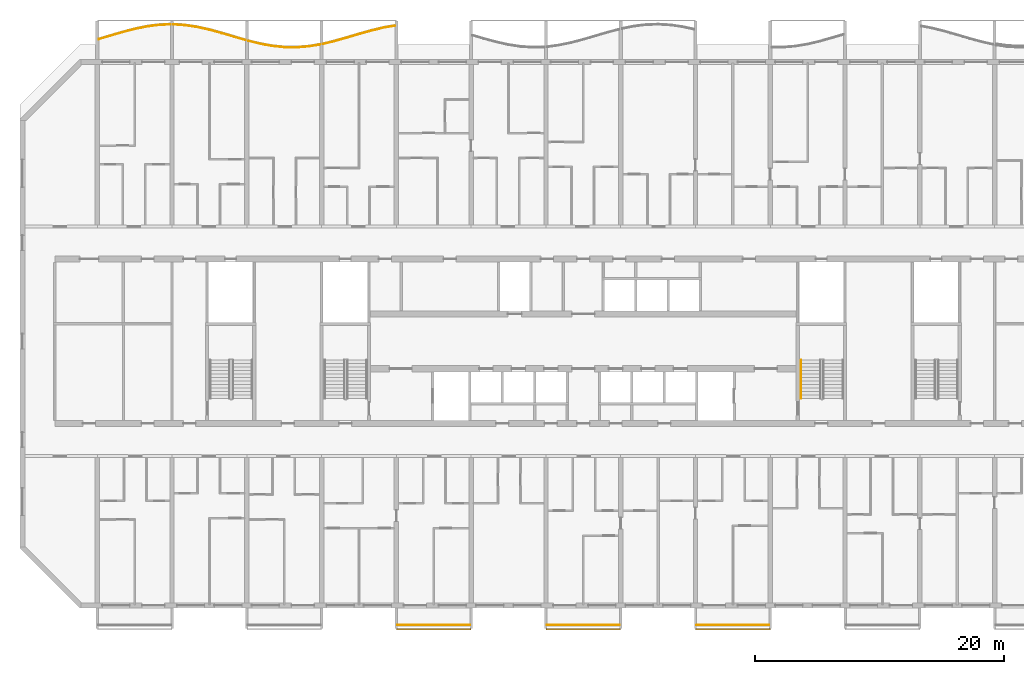
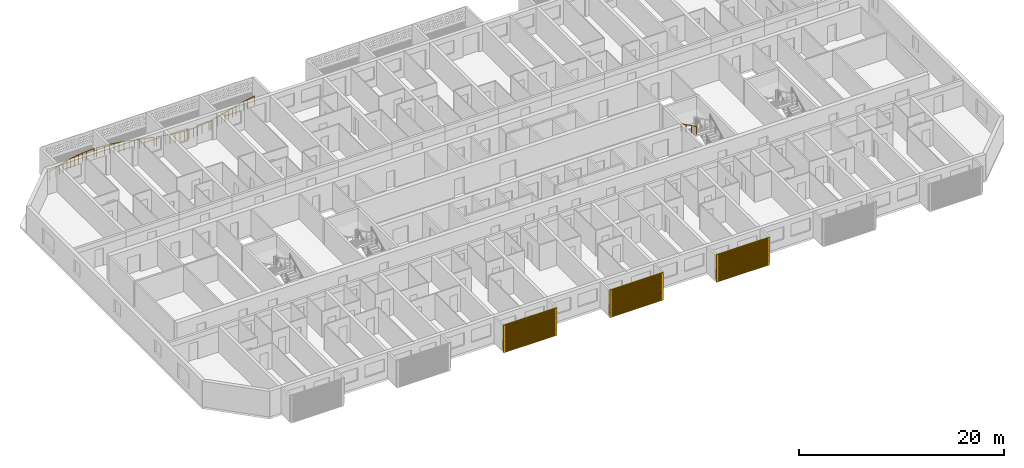
# One storey, part 19 of 28: 8 railings, 3 shading devices.
"""IFC4 building model written with IfcOpenShell, lengths in metres."""

from ifc_helpers import new_model, si_unit, direction, frame, origin, origin_2d, place, context, subcontext, project, spatial, polyline, circle, outline, extrude, source, transform, mapped, material, material_profile, profile_set, type_object, element, save


model = new_model("IFC4")

# Units and contexts
model_context = context("Model", 3, precision=1e-05, world=origin(), true_north=direction((0.0, 1.0)))
body_context = subcontext(model_context, "Body", "Model", "MODEL_VIEW")
ifc_project = project(units=[si_unit("LENGTHUNIT", "METRE"), si_unit("AREAUNIT", "SQUARE_METRE"), si_unit("VOLUMEUNIT", "CUBIC_METRE"), si_unit("PLANEANGLEUNIT", "RADIAN"), si_unit("MASSUNIT", "GRAM", prefix="KILO")], contexts=[model_context])

# Site, building, storey
site_placement = place(None, origin())
site = spatial("IfcSite", under=ifc_project, at=site_placement, CompositionType="ELEMENT")
building_placement = place(site_placement, origin())
building = spatial("IfcBuilding", under=site, at=building_placement, Name="Poui Terraces", CompositionType="ELEMENT")
storey_placement = place(building_placement, frame((0.0, 0.0, 72.89990234375)))
storey = spatial("IfcBuildingStorey", under=building, at=storey_placement, Name="L19", CompositionType="ELEMENT", Elevation=72.89990234375)

# Railings
ifc_material_1 = material(Name="Painted steel fretwork", Category="steel")
railing_type_1 = type_object("IfcRailingType", Name="BALCONY GUARD 1100", PredefinedType="GUARDRAIL", material=ifc_material_1)
railing_1_placement = place(storey_placement, frame((12.125, 45.4375, 0.0)))
element("IfcRailing", 1, at=railing_1_placement, inside=storey, type_object=railing_type_1, Name="BALCONY GUARD", PredefinedType="GUARDRAIL", context=body_context, shape_type="SweptSolid", body=[
    extrude(circle(Radius=0.02392578125, at=origin_2d()), frame((0.0, 0.0, 1.076171875), z_axis=(0.959301544877, 0.282383685783, 0.0), x_axis=(-0.282383685783, 0.959301544877, 0.0)), (0.0, 0.0, 1.0), 0.912109375),
    extrude(circle(Radius=0.02392578125, at=origin_2d()), frame((0.875, 0.257568359375, 1.076171875), z_axis=(0.959726621702, 0.280935600444, 0.0), x_axis=(-0.280935600444, 0.959726621702, 0.0)), (0.0, 0.0, 1.0), 1.0419921875),
    extrude(circle(Radius=0.02392578125, at=origin_2d()), frame((1.875, 0.55029296875, 1.076171875), z_axis=(0.967126511287, 0.25429571598, 0.0), x_axis=(-0.25429571598, 0.967126511287, 0.0)), (0.0, 0.0, 1.0), 1.033935546875),
    extrude(circle(Radius=0.02392578125, at=origin_2d()), frame((2.875, 0.813232421875, 1.076171875), z_axis=(0.979518122884, 0.201356020378, 0.0), x_axis=(-0.201356020378, 0.979518122884, 0.0)), (0.0, 0.0, 1.0), 1.02099609375),
    extrude(circle(Radius=0.02392578125, at=origin_2d()), frame((3.875, 1.018798828125, 1.076171875), z_axis=(0.992007284566, 0.126180614077, 0.0), x_axis=(-0.126180614077, 0.992007284566, 0.0)), (0.0, 0.0, 1.0), 1.008056640625),
    extrude(circle(Radius=0.02392578125, at=origin_2d()), frame((4.875, 1.14599609375, 1.076171875), z_axis=(0.999125325571, 0.041816071104, 0.0), x_axis=(-0.041816071104, 0.999125325571, 0.0)), (0.0, 0.0, 1.0), 0.875732421875),
    extrude(circle(Radius=0.02099609375, at=origin_2d()), origin(), (0.0, 0.0, 1.0), 1.052001953125),
    extrude(circle(Radius=0.02099609375, at=origin_2d()), frame((0.875, 0.257568359375, 0.0)), (0.0, 0.0, 1.0), 1.052001953125),
    extrude(circle(Radius=0.02099609375, at=origin_2d()), frame((1.375, 0.40380859375, 0.0)), (0.0, 0.0, 1.0), 1.052001953125),
    extrude(circle(Radius=0.02099609375, at=origin_2d()), frame((1.875, 0.55029296875, 0.0)), (0.0, 0.0, 1.0), 1.052001953125),
    extrude(circle(Radius=0.02099609375, at=origin_2d()), frame((2.375, 0.681640625, 0.0)), (0.0, 0.0, 1.0), 1.052001953125),
    extrude(circle(Radius=0.02099609375, at=origin_2d()), frame((2.875, 0.813232421875, 0.0)), (0.0, 0.0, 1.0), 1.052001953125),
    extrude(circle(Radius=0.02099609375, at=origin_2d()), frame((3.375, 0.916015625, 0.0)), (0.0, 0.0, 1.0), 1.052001953125),
    extrude(circle(Radius=0.02099609375, at=origin_2d()), frame((3.875, 1.018798828125, 0.0)), (0.0, 0.0, 1.0), 1.052001953125),
    extrude(circle(Radius=0.02099609375, at=origin_2d()), frame((4.375, 1.08251953125, 0.0)), (0.0, 0.0, 1.0), 1.052001953125),
    extrude(circle(Radius=0.02099609375, at=origin_2d()), frame((4.875, 1.14599609375, 0.0)), (0.0, 0.0, 1.0), 1.052001953125),
    extrude(circle(Radius=0.02099609375, at=origin_2d()), frame((5.75, 1.1826171875, 0.0)), (0.0, 0.0, 1.0), 1.052001953125),
])
railing_2_placement = place(storey_placement, frame((18.125, 46.616943359375, 0.0)))
element("IfcRailing", 2, at=railing_2_placement, inside=storey, type_object=railing_type_1, Name="BALCONY GUARD", PredefinedType="GUARDRAIL", context=body_context, shape_type="SweptSolid", body=[
    extrude(circle(Radius=0.02392578125, at=origin_2d()), frame((0.0, 0.0, 1.076171875), z_axis=(0.997875386497, -0.065151462176, 0.0), x_axis=(0.065151462176, 0.997875386497, 0.0)), (0.0, 0.0, 1.0), 0.876953125),
    extrude(circle(Radius=0.02392578125, at=origin_2d()), frame((0.875, -0.05712890625, 1.076171875), z_axis=(0.989196978079, -0.146592423265, 0.0), x_axis=(0.146592423265, 0.989196978079, 0.0)), (0.0, 0.0, 1.0), 1.010986328125),
    extrude(circle(Radius=0.02392578125, at=origin_2d()), frame((1.875, -0.205322265625, 1.076171875), z_axis=(0.976198274393, -0.216879987719, 0.0), x_axis=(0.216879987719, 0.976198274393, 0.0)), (0.0, 0.0, 1.0), 1.0244140625),
    extrude(circle(Radius=0.02392578125, at=origin_2d()), frame((2.875, -0.427490234375, 1.076171875), z_axis=(0.964709448785, -0.263316690367, 0.0), x_axis=(0.263316690367, 0.964709448785, 0.0)), (0.0, 0.0, 1.0), 1.03662109375),
    extrude(circle(Radius=0.02392578125, at=origin_2d()), frame((3.875, -0.700439453125, 1.076171875), z_axis=(0.958901964879, -0.283737593123, 0.0), x_axis=(0.283737593123, 0.958901964879, 0.0)), (0.0, 0.0, 1.0), 1.04296875),
    extrude(circle(Radius=0.02392578125, at=origin_2d()), frame((4.875, -0.996337890625, 1.076171875), z_axis=(0.960454941812, -0.278435458857, 0.0), x_axis=(0.278435458857, 0.960454941812, 0.0)), (0.0, 0.0, 1.0), 0.9111328125),
    extrude(circle(Radius=0.02099609375, at=origin_2d()), origin(), (0.0, 0.0, 1.0), 1.052001953125),
    extrude(circle(Radius=0.02099609375, at=origin_2d()), frame((0.875, -0.05712890625, 0.0)), (0.0, 0.0, 1.0), 1.052001953125),
    extrude(circle(Radius=0.02099609375, at=origin_2d()), frame((1.375, -0.13134765625, 0.0)), (0.0, 0.0, 1.0), 1.052001953125),
    extrude(circle(Radius=0.02099609375, at=origin_2d()), frame((1.875, -0.205322265625, 0.0)), (0.0, 0.0, 1.0), 1.052001953125),
    extrude(circle(Radius=0.02099609375, at=origin_2d()), frame((2.375, -0.31640625, 0.0)), (0.0, 0.0, 1.0), 1.052001953125),
    extrude(circle(Radius=0.02099609375, at=origin_2d()), frame((2.875, -0.427490234375, 0.0)), (0.0, 0.0, 1.0), 1.052001953125),
    extrude(circle(Radius=0.02099609375, at=origin_2d()), frame((3.375, -0.56396484375, 0.0)), (0.0, 0.0, 1.0), 1.052001953125),
    extrude(circle(Radius=0.02099609375, at=origin_2d()), frame((3.875, -0.700439453125, 0.0)), (0.0, 0.0, 1.0), 1.052001953125),
    extrude(circle(Radius=0.02099609375, at=origin_2d()), frame((4.375, -0.848388671875, 0.0)), (0.0, 0.0, 1.0), 1.052001953125),
    extrude(circle(Radius=0.02099609375, at=origin_2d()), frame((4.875, -0.996337890625, 0.0)), (0.0, 0.0, 1.0), 1.052001953125),
    extrude(circle(Radius=0.02099609375, at=origin_2d()), frame((5.75, -1.25, 0.0)), (0.0, 0.0, 1.0), 1.052001953125),
])
railing_3_placement = place(storey_placement, frame((24.125, 45.298583984375, 0.0)))
element("IfcRailing", 3, at=railing_3_placement, inside=storey, type_object=railing_type_1, Name="BALCONY GUARD", PredefinedType="GUARDRAIL", context=body_context, shape_type="SweptSolid", body=[
    extrude(circle(Radius=0.02392578125, at=origin_2d()), frame((0.0, 0.0, 1.076171875), z_axis=(0.970586901308, -0.240751047785, 0.0), x_axis=(0.240751047785, 0.970586901308, 0.0)), (0.0, 0.0, 1.0), 0.901611328125),
    extrude(circle(Radius=0.02392578125, at=origin_2d()), frame((0.875, -0.217041015625, 1.076171875), z_axis=(0.982828697247, -0.184520329146, 0.0), x_axis=(0.184520329146, 0.982828697247, 0.0)), (0.0, 0.0, 1.0), 1.017578125),
    extrude(circle(Radius=0.02392578125, at=origin_2d()), frame((1.875, -0.40478515625, 1.076171875), z_axis=(0.994534683851, -0.104406717299, 0.0), x_axis=(0.104406717299, 0.994534683851, 0.0)), (0.0, 0.0, 1.0), 1.005615234375),
    extrude(circle(Radius=0.02392578125, at=origin_2d()), frame((2.875, -0.509765625, 1.076171875), z_axis=(0.99992550252, -0.012206121857, 0.0), x_axis=(0.012206121857, 0.99992550252, 0.0)), (0.0, 0.0, 1.0), 1.0),
    extrude(circle(Radius=0.02392578125, at=origin_2d()), frame((3.875, -0.52197265625, 1.076171875), z_axis=(0.996592582512, 0.082481661492, 0.0), x_axis=(-0.082481661492, 0.996592582512, 0.0)), (0.0, 0.0, 1.0), 1.00341796875),
    extrude(circle(Radius=0.02392578125, at=origin_2d()), frame((4.875, -0.439208984375, 1.076171875), z_axis=(0.986851434927, 0.16162996437, 0.0), x_axis=(-0.16162996437, 0.986851434927, 0.0)), (0.0, 0.0, 1.0), 0.88671875),
    extrude(circle(Radius=0.02099609375, at=origin_2d()), origin(), (0.0, 0.0, 1.0), 1.052001953125),
    extrude(circle(Radius=0.02099609375, at=origin_2d()), frame((0.875, -0.217041015625, 0.0)), (0.0, 0.0, 1.0), 1.052001953125),
    extrude(circle(Radius=0.02099609375, at=origin_2d()), frame((1.375, -0.31103515625, 0.0)), (0.0, 0.0, 1.0), 1.052001953125),
    extrude(circle(Radius=0.02099609375, at=origin_2d()), frame((1.875, -0.40478515625, 0.0)), (0.0, 0.0, 1.0), 1.052001953125),
    extrude(circle(Radius=0.02099609375, at=origin_2d()), frame((2.375, -0.457275390625, 0.0)), (0.0, 0.0, 1.0), 1.052001953125),
    extrude(circle(Radius=0.02099609375, at=origin_2d()), frame((2.875, -0.509765625, 0.0)), (0.0, 0.0, 1.0), 1.052001953125),
    extrude(circle(Radius=0.02099609375, at=origin_2d()), frame((3.375, -0.515869140625, 0.0)), (0.0, 0.0, 1.0), 1.052001953125),
    extrude(circle(Radius=0.02099609375, at=origin_2d()), frame((3.875, -0.52197265625, 0.0)), (0.0, 0.0, 1.0), 1.052001953125),
    extrude(circle(Radius=0.02099609375, at=origin_2d()), frame((4.375, -0.48046875, 0.0)), (0.0, 0.0, 1.0), 1.052001953125),
    extrude(circle(Radius=0.02099609375, at=origin_2d()), frame((4.875, -0.439208984375, 0.0)), (0.0, 0.0, 1.0), 1.052001953125),
    extrude(circle(Radius=0.02099609375, at=origin_2d()), frame((5.75, -0.2958984375, 0.0)), (0.0, 0.0, 1.0), 1.052001953125),
])
railing_4_placement = place(storey_placement, frame((30.125, 45.05419921875, 0.0)))
element("IfcRailing", 4, at=railing_4_placement, inside=storey, type_object=railing_type_1, Name="BALCONY GUARD", PredefinedType="GUARDRAIL", context=body_context, shape_type="SweptSolid", body=[
    extrude(circle(Radius=0.02392578125, at=origin_2d()), frame((0.0, 0.0, 1.076171875), z_axis=(0.97215043642, 0.234357694494, 0.0), x_axis=(-0.234357694494, 0.97215043642, 0.0)), (0.0, 0.0, 1.0), 0.900146484375),
    extrude(circle(Radius=0.02392578125, at=origin_2d()), frame((0.875, 0.2109375, 1.076171875), z_axis=(0.962589664763, 0.270963350457, 0.0), x_axis=(-0.270963350457, 0.962589664763, 0.0)), (0.0, 0.0, 1.0), 1.038818359375),
    extrude(circle(Radius=0.02392578125, at=origin_2d()), frame((1.875, 0.492431640625, 1.076171875), z_axis=(0.958646866278, 0.284598288426, 0.0), x_axis=(-0.284598288426, 0.958646866278, 0.0)), (0.0, 0.0, 1.0), 1.043212890625),
    extrude(circle(Radius=0.02392578125, at=origin_2d()), frame((2.875, 0.789306640625, 1.076171875), z_axis=(0.962589664763, 0.270963350457, 0.0), x_axis=(-0.270963350457, 0.962589664763, 0.0)), (0.0, 0.0, 1.0), 1.038818359375),
    extrude(circle(Radius=0.02392578125, at=origin_2d()), frame((3.875, 1.07080078125, 1.076171875), z_axis=(0.973032599544, 0.230667640175, 0.0), x_axis=(-0.230667640175, 0.973032599544, 0.0)), (0.0, 0.0, 1.0), 1.02783203125),
    extrude(circle(Radius=0.02392578125, at=origin_2d()), frame((4.875, 1.307861328125, 1.076171875), z_axis=(0.985272223663, 0.170993114709, 0.0), x_axis=(-0.170993114709, 0.985272223663, 0.0)), (0.0, 0.0, 1.0), 0.88818359375),
    extrude(circle(Radius=0.02099609375, at=origin_2d()), origin(), (0.0, 0.0, 1.0), 1.052001953125),
    extrude(circle(Radius=0.02099609375, at=origin_2d()), frame((0.875, 0.2109375, 0.0)), (0.0, 0.0, 1.0), 1.052001953125),
    extrude(circle(Radius=0.02099609375, at=origin_2d()), frame((1.375, 0.3515625, 0.0)), (0.0, 0.0, 1.0), 1.052001953125),
    extrude(circle(Radius=0.02099609375, at=origin_2d()), frame((1.875, 0.492431640625, 0.0)), (0.0, 0.0, 1.0), 1.052001953125),
    extrude(circle(Radius=0.02099609375, at=origin_2d()), frame((2.375, 0.640869140625, 0.0)), (0.0, 0.0, 1.0), 1.052001953125),
    extrude(circle(Radius=0.02099609375, at=origin_2d()), frame((2.875, 0.789306640625, 0.0)), (0.0, 0.0, 1.0), 1.052001953125),
    extrude(circle(Radius=0.02099609375, at=origin_2d()), frame((3.375, 0.93017578125, 0.0)), (0.0, 0.0, 1.0), 1.052001953125),
    extrude(circle(Radius=0.02099609375, at=origin_2d()), frame((3.875, 1.07080078125, 0.0)), (0.0, 0.0, 1.0), 1.052001953125),
    extrude(circle(Radius=0.02099609375, at=origin_2d()), frame((4.375, 1.189453125, 0.0)), (0.0, 0.0, 1.0), 1.052001953125),
    extrude(circle(Radius=0.02099609375, at=origin_2d()), frame((4.875, 1.307861328125, 0.0)), (0.0, 0.0, 1.0), 1.052001953125),
    extrude(circle(Radius=0.02099609375, at=origin_2d()), frame((5.75, 1.459716796875, 0.0)), (0.0, 0.0, 1.0), 1.052001953125),
])
for number, where, name in (
    (5, (36.10009765625, -1.570068359375, 0.0), "BALCONY GUARD"),
    (6, (48.10009765625, -1.570068359375, 0.0), "BALCONY GUARD"),
    (7, (60.10009765625, -1.570068359375, 0.0), "BALCONY GUARD"),
):
    element("IfcRailing", number, at=place(storey_placement, frame(where)), inside=storey, type_object=railing_type_1, Name=name, PredefinedType="GUARDRAIL", context=body_context, shape_type="SweptSolid", body=[
        extrude(circle(Radius=0.02392578125, at=origin_2d()), frame((0.0, 0.0, 1.076171875), z_axis=(1.0, 0.0, 0.0), x_axis=(0.0, 1.0, 0.0)), (0.0, 0.0, 1.0), 5.7998046875),
        extrude(circle(Radius=0.02099609375, at=origin_2d()), origin(), (0.0, 0.0, 1.0), 1.052001953125),
        extrude(circle(Radius=0.02099609375, at=origin_2d()), frame((0.966552734375, 0.0, 0.0)), (0.0, 0.0, 1.0), 1.052001953125),
        extrude(circle(Radius=0.02099609375, at=origin_2d()), frame((1.933349609375, 0.0, 0.0)), (0.0, 0.0, 1.0), 1.052001953125),
        extrude(circle(Radius=0.02099609375, at=origin_2d()), frame((2.89990234375, 0.0, 0.0)), (0.0, 0.0, 1.0), 1.052001953125),
        extrude(circle(Radius=0.02099609375, at=origin_2d()), frame((3.866455078125, 0.0, 0.0)), (0.0, 0.0, 1.0), 1.052001953125),
        extrude(circle(Radius=0.02099609375, at=origin_2d()), frame((4.833251953125, 0.0, 0.0)), (0.0, 0.0, 1.0), 1.052001953125),
        extrude(circle(Radius=0.02099609375, at=origin_2d()), frame((5.7998046875, 0.0, 0.0)), (0.0, 0.0, 1.0), 1.052001953125),
    ])
ifc_material_2 = material(Name="Stainless steel handrail", Category="steel")
railing_type_2 = type_object("IfcRailingType", Name="STAIR HANDRAIL 900", PredefinedType="HANDRAIL", material=ifc_material_2)
railing_5_placement = place(storey_placement, frame((68.47509765625, 19.679931640625, 1.78759765625)))
element("IfcRailing", 8, at=railing_5_placement, inside=storey, type_object=railing_type_2, Name="L19 ST-CE stair handrail 2", PredefinedType="HANDRAIL", context=body_context, shape_type="SweptSolid", body=[
    extrude(circle(Radius=0.02392578125, at=origin_2d()), frame((0.0, 0.0, 0.8759765625), z_axis=(0.0, -0.897606190399, 0.440798283751), x_axis=(1.0, 0.0, 0.0)), (0.0, 0.0, 1.0), 3.43115234375),
    extrude(circle(Radius=0.02099609375, at=origin_2d()), origin(), (0.0, 0.0, 1.0), 0.851806640625),
    extrude(circle(Radius=0.02099609375, at=origin_2d()), frame((0.0, -1.026611328125, 0.504150390625)), (0.0, 0.0, 1.0), 0.851806640625),
    extrude(circle(Radius=0.02099609375, at=origin_2d()), frame((0.0, -2.05322265625, 1.00830078125)), (0.0, 0.0, 1.0), 0.851806640625),
    extrude(circle(Radius=0.02099609375, at=origin_2d()), frame((0.0, -3.079833984375, 1.512451171875)), (0.0, 0.0, 1.0), 0.851806640625),
])

# Shading devices
ifc_material_3 = material(Name="Aluminium louvre", Category="aluminium")
ifc_material_profile = material_profile(ifc_material_3, outline(polyline([(-3.0, -1.64990234375), (3.0, -1.64990234375), (3.0, 1.64990234375), (-3.0, 1.64990234375), (-3.0, -1.64990234375)]), holes=[polyline([(-2.800048828125, -1.530029296875), (2.800048828125, -1.530029296875), (2.800048828125, -1.469970703125), (-2.800048828125, -1.469970703125), (-2.800048828125, -1.530029296875)]), polyline([(-2.800048828125, -1.429931640625), (2.800048828125, -1.429931640625), (2.800048828125, -1.3701171875), (-2.800048828125, -1.3701171875), (-2.800048828125, -1.429931640625)]), polyline([(-2.800048828125, -1.330078125), (2.800048828125, -1.330078125), (2.800048828125, -1.27001953125), (-2.800048828125, -1.27001953125), (-2.800048828125, -1.330078125)]), polyline([(-2.800048828125, -1.22998046875), (2.800048828125, -1.22998046875), (2.800048828125, -1.169921875), (-2.800048828125, -1.169921875), (-2.800048828125, -1.22998046875)]), polyline([(-2.800048828125, -1.1298828125), (2.800048828125, -1.1298828125), (2.800048828125, -1.070068359375), (-2.800048828125, -1.070068359375), (-2.800048828125, -1.1298828125)]), polyline([(-2.800048828125, -1.030029296875), (2.800048828125, -1.030029296875), (2.800048828125, -0.969970703125), (-2.800048828125, -0.969970703125), (-2.800048828125, -1.030029296875)]), polyline([(-2.800048828125, -0.929931640625), (2.800048828125, -0.929931640625), (2.800048828125, -0.8701171875), (-2.800048828125, -0.8701171875), (-2.800048828125, -0.929931640625)]), polyline([(-2.800048828125, -0.830078125), (2.800048828125, -0.830078125), (2.800048828125, -0.77001953125), (-2.800048828125, -0.77001953125), (-2.800048828125, -0.830078125)]), polyline([(-2.800048828125, -0.72998046875), (2.800048828125, -0.72998046875), (2.800048828125, -0.669921875), (-2.800048828125, -0.669921875), (-2.800048828125, -0.72998046875)]), polyline([(-2.800048828125, -0.6298828125), (2.800048828125, -0.6298828125), (2.800048828125, -0.570068359375), (-2.800048828125, -0.570068359375), (-2.800048828125, -0.6298828125)]), polyline([(-2.800048828125, -0.530029296875), (2.800048828125, -0.530029296875), (2.800048828125, -0.469970703125), (-2.800048828125, -0.469970703125), (-2.800048828125, -0.530029296875)]), polyline([(-2.800048828125, -0.429931640625), (2.800048828125, -0.429931640625), (2.800048828125, -0.3701171875), (-2.800048828125, -0.3701171875), (-2.800048828125, -0.429931640625)]), polyline([(-2.800048828125, -0.330078125), (2.800048828125, -0.330078125), (2.800048828125, -0.27001953125), (-2.800048828125, -0.27001953125), (-2.800048828125, -0.330078125)]), polyline([(-2.800048828125, -0.22998046875), (2.800048828125, -0.22998046875), (2.800048828125, -0.169921875), (-2.800048828125, -0.169921875), (-2.800048828125, -0.22998046875)]), polyline([(-2.800048828125, -0.1298828125), (2.800048828125, -0.1298828125), (2.800048828125, -0.070068359375), (-2.800048828125, -0.070068359375), (-2.800048828125, -0.1298828125)]), polyline([(-2.800048828125, -0.030029296875), (2.800048828125, -0.030029296875), (2.800048828125, 0.030029296875), (-2.800048828125, 0.030029296875), (-2.800048828125, -0.030029296875)]), polyline([(-2.800048828125, 0.070068359375), (2.800048828125, 0.070068359375), (2.800048828125, 0.1298828125), (-2.800048828125, 0.1298828125), (-2.800048828125, 0.070068359375)]), polyline([(-2.800048828125, 0.169921875), (2.800048828125, 0.169921875), (2.800048828125, 0.22998046875), (-2.800048828125, 0.22998046875), (-2.800048828125, 0.169921875)]), polyline([(-2.800048828125, 0.27001953125), (2.800048828125, 0.27001953125), (2.800048828125, 0.330078125), (-2.800048828125, 0.330078125), (-2.800048828125, 0.27001953125)]), polyline([(-2.800048828125, 0.3701171875), (2.800048828125, 0.3701171875), (2.800048828125, 0.429931640625), (-2.800048828125, 0.429931640625), (-2.800048828125, 0.3701171875)]), polyline([(-2.800048828125, 0.469970703125), (2.800048828125, 0.469970703125), (2.800048828125, 0.530029296875), (-2.800048828125, 0.530029296875), (-2.800048828125, 0.469970703125)]), polyline([(-2.800048828125, 0.570068359375), (2.800048828125, 0.570068359375), (2.800048828125, 0.6298828125), (-2.800048828125, 0.6298828125), (-2.800048828125, 0.570068359375)]), polyline([(-2.800048828125, 0.669921875), (2.800048828125, 0.669921875), (2.800048828125, 0.72998046875), (-2.800048828125, 0.72998046875), (-2.800048828125, 0.669921875)]), polyline([(-2.800048828125, 0.77001953125), (2.800048828125, 0.77001953125), (2.800048828125, 0.830078125), (-2.800048828125, 0.830078125), (-2.800048828125, 0.77001953125)]), polyline([(-2.800048828125, 0.8701171875), (2.800048828125, 0.8701171875), (2.800048828125, 0.929931640625), (-2.800048828125, 0.929931640625), (-2.800048828125, 0.8701171875)]), polyline([(-2.800048828125, 0.969970703125), (2.800048828125, 0.969970703125), (2.800048828125, 1.030029296875), (-2.800048828125, 1.030029296875), (-2.800048828125, 0.969970703125)]), polyline([(-2.800048828125, 1.070068359375), (2.800048828125, 1.070068359375), (2.800048828125, 1.1298828125), (-2.800048828125, 1.1298828125), (-2.800048828125, 1.070068359375)]), polyline([(-2.800048828125, 1.169921875), (2.800048828125, 1.169921875), (2.800048828125, 1.22998046875), (-2.800048828125, 1.22998046875), (-2.800048828125, 1.169921875)]), polyline([(-2.800048828125, 1.27001953125), (2.800048828125, 1.27001953125), (2.800048828125, 1.330078125), (-2.800048828125, 1.330078125), (-2.800048828125, 1.27001953125)]), polyline([(-2.800048828125, 1.3701171875), (2.800048828125, 1.3701171875), (2.800048828125, 1.429931640625), (-2.800048828125, 1.429931640625), (-2.800048828125, 1.3701171875)]), polyline([(-2.800048828125, 1.469970703125), (2.800048828125, 1.469970703125), (2.800048828125, 1.530029296875), (-2.800048828125, 1.530029296875), (-2.800048828125, 1.469970703125)])]), Name="JALOUSIE LOUVRE SHUTTER 6000X3300")
ifc_profile_set = profile_set([ifc_material_profile], Name="Aluminium louvre")
shading_device_type = type_object("IfcShadingDeviceType", Name="JALOUSIE LOUVRE SHUTTER 6000X3300", PredefinedType="JALOUSIE", material=ifc_profile_set)
shared_shape = source(origin(), body_context, "Body", "SweptSolid", [
    extrude(outline(polyline([(-3.0, -1.64990234375), (3.0, -1.64990234375), (3.0, 1.64990234375), (-3.0, 1.64990234375), (-3.0, -1.64990234375)]), holes=[polyline([(-2.800048828125, -1.530029296875), (2.800048828125, -1.530029296875), (2.800048828125, -1.469970703125), (-2.800048828125, -1.469970703125), (-2.800048828125, -1.530029296875)]), polyline([(-2.800048828125, -1.429931640625), (2.800048828125, -1.429931640625), (2.800048828125, -1.3701171875), (-2.800048828125, -1.3701171875), (-2.800048828125, -1.429931640625)]), polyline([(-2.800048828125, -1.330078125), (2.800048828125, -1.330078125), (2.800048828125, -1.27001953125), (-2.800048828125, -1.27001953125), (-2.800048828125, -1.330078125)]), polyline([(-2.800048828125, -1.22998046875), (2.800048828125, -1.22998046875), (2.800048828125, -1.169921875), (-2.800048828125, -1.169921875), (-2.800048828125, -1.22998046875)]), polyline([(-2.800048828125, -1.1298828125), (2.800048828125, -1.1298828125), (2.800048828125, -1.070068359375), (-2.800048828125, -1.070068359375), (-2.800048828125, -1.1298828125)]), polyline([(-2.800048828125, -1.030029296875), (2.800048828125, -1.030029296875), (2.800048828125, -0.969970703125), (-2.800048828125, -0.969970703125), (-2.800048828125, -1.030029296875)]), polyline([(-2.800048828125, -0.929931640625), (2.800048828125, -0.929931640625), (2.800048828125, -0.8701171875), (-2.800048828125, -0.8701171875), (-2.800048828125, -0.929931640625)]), polyline([(-2.800048828125, -0.830078125), (2.800048828125, -0.830078125), (2.800048828125, -0.77001953125), (-2.800048828125, -0.77001953125), (-2.800048828125, -0.830078125)]), polyline([(-2.800048828125, -0.72998046875), (2.800048828125, -0.72998046875), (2.800048828125, -0.669921875), (-2.800048828125, -0.669921875), (-2.800048828125, -0.72998046875)]), polyline([(-2.800048828125, -0.6298828125), (2.800048828125, -0.6298828125), (2.800048828125, -0.570068359375), (-2.800048828125, -0.570068359375), (-2.800048828125, -0.6298828125)]), polyline([(-2.800048828125, -0.530029296875), (2.800048828125, -0.530029296875), (2.800048828125, -0.469970703125), (-2.800048828125, -0.469970703125), (-2.800048828125, -0.530029296875)]), polyline([(-2.800048828125, -0.429931640625), (2.800048828125, -0.429931640625), (2.800048828125, -0.3701171875), (-2.800048828125, -0.3701171875), (-2.800048828125, -0.429931640625)]), polyline([(-2.800048828125, -0.330078125), (2.800048828125, -0.330078125), (2.800048828125, -0.27001953125), (-2.800048828125, -0.27001953125), (-2.800048828125, -0.330078125)]), polyline([(-2.800048828125, -0.22998046875), (2.800048828125, -0.22998046875), (2.800048828125, -0.169921875), (-2.800048828125, -0.169921875), (-2.800048828125, -0.22998046875)]), polyline([(-2.800048828125, -0.1298828125), (2.800048828125, -0.1298828125), (2.800048828125, -0.070068359375), (-2.800048828125, -0.070068359375), (-2.800048828125, -0.1298828125)]), polyline([(-2.800048828125, -0.030029296875), (2.800048828125, -0.030029296875), (2.800048828125, 0.030029296875), (-2.800048828125, 0.030029296875), (-2.800048828125, -0.030029296875)]), polyline([(-2.800048828125, 0.070068359375), (2.800048828125, 0.070068359375), (2.800048828125, 0.1298828125), (-2.800048828125, 0.1298828125), (-2.800048828125, 0.070068359375)]), polyline([(-2.800048828125, 0.169921875), (2.800048828125, 0.169921875), (2.800048828125, 0.22998046875), (-2.800048828125, 0.22998046875), (-2.800048828125, 0.169921875)]), polyline([(-2.800048828125, 0.27001953125), (2.800048828125, 0.27001953125), (2.800048828125, 0.330078125), (-2.800048828125, 0.330078125), (-2.800048828125, 0.27001953125)]), polyline([(-2.800048828125, 0.3701171875), (2.800048828125, 0.3701171875), (2.800048828125, 0.429931640625), (-2.800048828125, 0.429931640625), (-2.800048828125, 0.3701171875)]), polyline([(-2.800048828125, 0.469970703125), (2.800048828125, 0.469970703125), (2.800048828125, 0.530029296875), (-2.800048828125, 0.530029296875), (-2.800048828125, 0.469970703125)]), polyline([(-2.800048828125, 0.570068359375), (2.800048828125, 0.570068359375), (2.800048828125, 0.6298828125), (-2.800048828125, 0.6298828125), (-2.800048828125, 0.570068359375)]), polyline([(-2.800048828125, 0.669921875), (2.800048828125, 0.669921875), (2.800048828125, 0.72998046875), (-2.800048828125, 0.72998046875), (-2.800048828125, 0.669921875)]), polyline([(-2.800048828125, 0.77001953125), (2.800048828125, 0.77001953125), (2.800048828125, 0.830078125), (-2.800048828125, 0.830078125), (-2.800048828125, 0.77001953125)]), polyline([(-2.800048828125, 0.8701171875), (2.800048828125, 0.8701171875), (2.800048828125, 0.929931640625), (-2.800048828125, 0.929931640625), (-2.800048828125, 0.8701171875)]), polyline([(-2.800048828125, 0.969970703125), (2.800048828125, 0.969970703125), (2.800048828125, 1.030029296875), (-2.800048828125, 1.030029296875), (-2.800048828125, 0.969970703125)]), polyline([(-2.800048828125, 1.070068359375), (2.800048828125, 1.070068359375), (2.800048828125, 1.1298828125), (-2.800048828125, 1.1298828125), (-2.800048828125, 1.070068359375)]), polyline([(-2.800048828125, 1.169921875), (2.800048828125, 1.169921875), (2.800048828125, 1.22998046875), (-2.800048828125, 1.22998046875), (-2.800048828125, 1.169921875)]), polyline([(-2.800048828125, 1.27001953125), (2.800048828125, 1.27001953125), (2.800048828125, 1.330078125), (-2.800048828125, 1.330078125), (-2.800048828125, 1.27001953125)]), polyline([(-2.800048828125, 1.3701171875), (2.800048828125, 1.3701171875), (2.800048828125, 1.429931640625), (-2.800048828125, 1.429931640625), (-2.800048828125, 1.3701171875)]), polyline([(-2.800048828125, 1.469970703125), (2.800048828125, 1.469970703125), (2.800048828125, 1.530029296875), (-2.800048828125, 1.530029296875), (-2.800048828125, 1.469970703125)])]), origin(), (0.0, 0.0, 1.0), 0.099853515625),
])
for number, where, z_axis, x_axis, name in (
    (9, (39.0, -1.85009765625, 1.4501953125), (0.0, -1.0, 0.0), (1.0, 0.0, 0.0), "JALOUSIE LOUVRE SHUTTER"),
    (10, (51.0, -1.85009765625, 1.4501953125), (0.0, -1.0, 0.0), (1.0, 0.0, 0.0), "JALOUSIE LOUVRE SHUTTER"),
    (11, (63.0, -1.85009765625, 1.4501953125), (0.0, -1.0, 0.0), (1.0, 0.0, 0.0), "JALOUSIE LOUVRE SHUTTER"),
):
    element("IfcShadingDevice", number, at=place(storey_placement, frame(where, z_axis=z_axis, x_axis=x_axis)), inside=storey, type_object=shading_device_type, Name=name, PredefinedType="JALOUSIE", context=body_context, shape_type="MappedRepresentation", body=[
        mapped(shared_shape, transform((0.0, 0.0, 0.0))),
    ])

save(model, "model.ifc")
